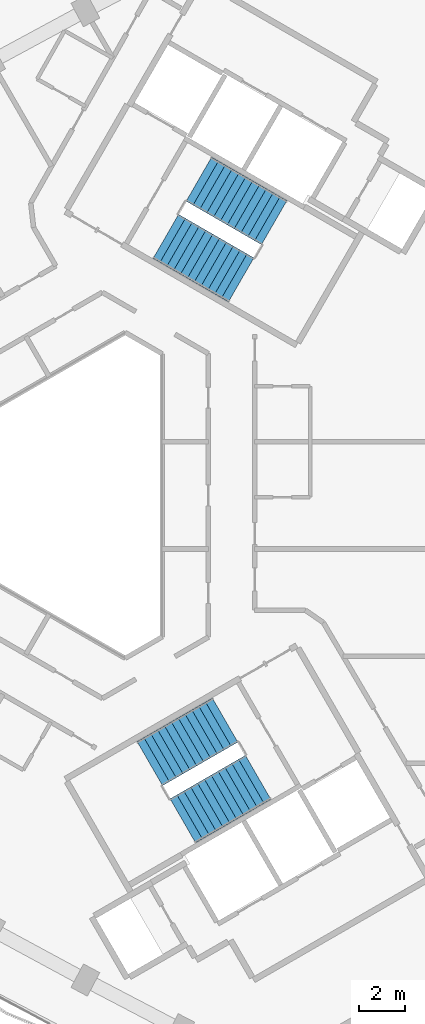
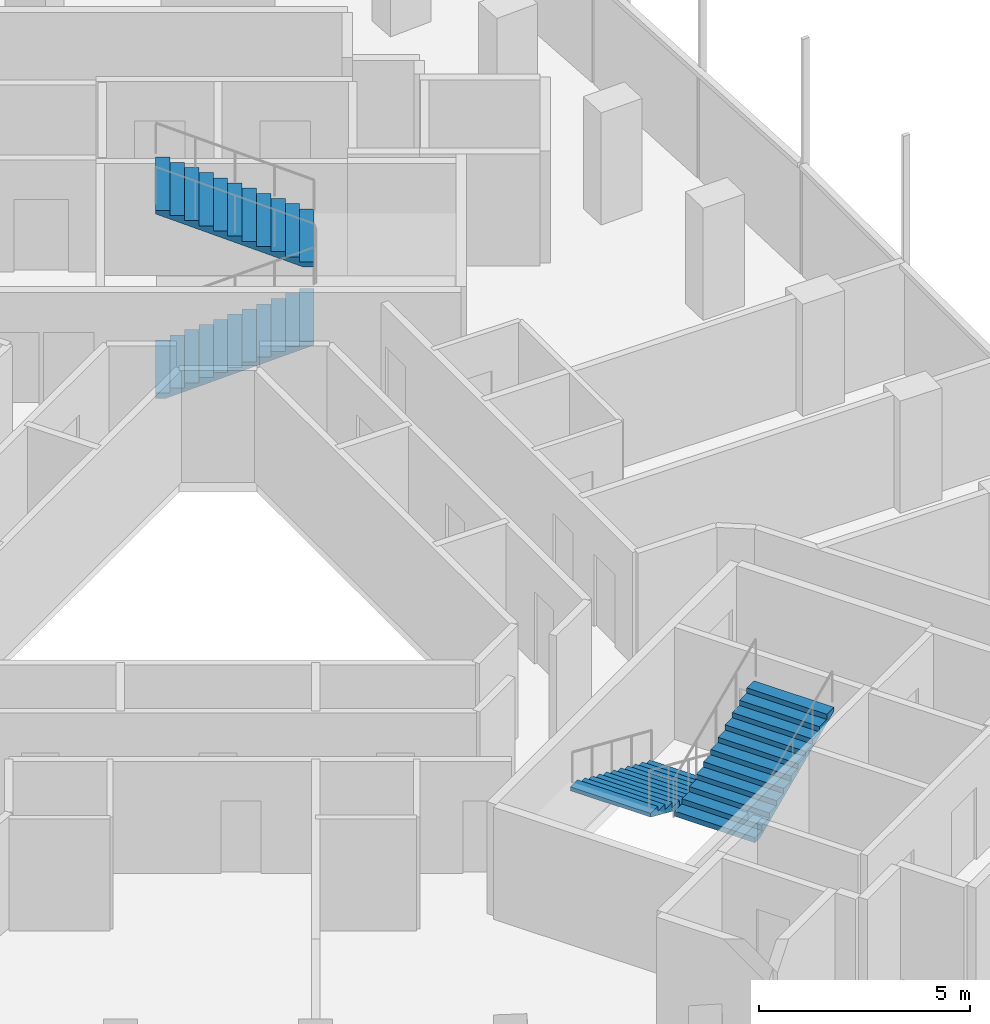
# One storey, part 11 of 14: 4 stair flights, 2 elements without a shape of their own.
"""IFC4 building model written with IfcOpenShell, lengths in metres."""

from ifc_helpers import new_model, si_unit, direction, frame, origin, place, context, subcontext, project, spatial, polyline, outline, extrude, material, type_object, element, aggregate, save


model = new_model("IFC4")

# Units and contexts
model_context = context("Model", 3, precision=1e-05, world=origin(), true_north=direction((0.0, 1.0)))
body_context = subcontext(model_context, "Body", "Model", "MODEL_VIEW")
ifc_project = project(units=[si_unit("LENGTHUNIT", "METRE"), si_unit("AREAUNIT", "SQUARE_METRE"), si_unit("VOLUMEUNIT", "CUBIC_METRE"), si_unit("PLANEANGLEUNIT", "RADIAN"), si_unit("MASSUNIT", "GRAM", prefix="KILO")], contexts=[model_context])

# Site, building, storey
site_placement = place(None, origin())
site = spatial("IfcSite", under=ifc_project, at=site_placement, CompositionType="ELEMENT")
building_placement = place(site_placement, origin())
building = spatial("IfcBuilding", under=site, at=building_placement, Name="Tamra Quay Hotel Tower", CompositionType="ELEMENT")
storey_placement = place(building_placement, frame((0.0, 0.0, 197.199951171875)))
storey = spatial("IfcBuildingStorey", under=building, at=storey_placement, Name="L49", CompositionType="ELEMENT", Elevation=197.199951171875)

# Stair, stair flights
ifc_material_1 = material(Name="Exit stair 2200 24 risers 150.0 going 342")
stair_type = type_object("IfcStairType", Name="Exit stair 2200 24 risers 150.0 going 342", PredefinedType="HALF_TURN_STAIR", material=ifc_material_1)
stair_1_placement = place(storey_placement, origin())
stair_1 = element("IfcStair", 1, at=stair_1_placement, inside=storey, type_object=stair_type, Name="L49 Exit stair ST1", PredefinedType="HALF_TURN_STAIR")
ifc_material_2 = material(Name="Exit stair flight 2200 12 risers 150.0")
stair_flight_type = type_object("IfcStairFlightType", Name="Exit stair flight 2200 12 risers 150.0", PredefinedType="STRAIGHT", material=ifc_material_2)
stair_flight_1_placement = place(storey_placement, frame((4.75927734375, 11.20361328125, 0.0), z_axis=(0.0, 0.0, 1.0), x_axis=(0.866025403784, -0.5, 0.0)))
stair_flight_1 = element("IfcStairFlight", 2, at=stair_flight_1_placement, type_object=stair_flight_type, Name="ST1 flight 1", NumberOfRisers=12, NumberOfTreads=11, PredefinedType="STRAIGHT", RiserHeight=0.15, TreadLength=0.342, context=body_context, shape_type="SweptSolid", body=[
    extrude(outline(polyline([(0.0, 0.0), (0.0, 0.14990234375), (0.342041015625, 0.14990234375), (0.342041015625, 0.300048828125), (0.68408203125, 0.300048828125), (0.68408203125, 0.449951171875), (1.02587890625, 0.449951171875), (1.02587890625, 0.60009765625), (1.367919921875, 0.60009765625), (1.367919921875, 0.75), (1.7099609375, 0.75), (1.7099609375, 0.89990234375), (2.052001953125, 0.89990234375), (2.052001953125, 1.050048828125), (2.39404296875, 1.050048828125), (2.39404296875, 1.199951171875), (2.736083984375, 1.199951171875), (2.736083984375, 1.35009765625), (3.077880859375, 1.35009765625), (3.077880859375, 1.5), (3.419921875, 1.5), (3.419921875, 1.64990234375), (3.761962890625, 1.64990234375), (3.761962890625, 1.800048828125), (3.761962890625, 1.540771484375), (0.249267578125, 0.0), (0.0, 0.0)])), frame((0.0, 1.10009765625, 0.0), z_axis=(0.0, -1.0, 0.0), x_axis=(1.0, 0.0, 0.0)), (0.0, 0.0, 1.0), 2.199951171875),
])
stair_flight_2_placement = place(storey_placement, frame((9.44677734375, 11.798583984375, 1.800048828125), z_axis=(0.0, 0.0, 1.0), x_axis=(-0.866025403784, 0.5, 0.0)))
stair_flight_2 = element("IfcStairFlight", 3, at=stair_flight_2_placement, type_object=stair_flight_type, Name="ST1 flight 2", NumberOfRisers=12, NumberOfTreads=11, PredefinedType="STRAIGHT", RiserHeight=0.15, TreadLength=0.342, context=body_context, shape_type="SweptSolid", body=[
    extrude(outline(polyline([(0.0, 0.0), (0.0, 0.14990234375), (0.342041015625, 0.14990234375), (0.342041015625, 0.300048828125), (0.68408203125, 0.300048828125), (0.68408203125, 0.449951171875), (1.02587890625, 0.449951171875), (1.02587890625, 0.60009765625), (1.367919921875, 0.60009765625), (1.367919921875, 0.75), (1.7099609375, 0.75), (1.7099609375, 0.89990234375), (2.052001953125, 0.89990234375), (2.052001953125, 1.050048828125), (2.39404296875, 1.050048828125), (2.39404296875, 1.199951171875), (2.736083984375, 1.199951171875), (2.736083984375, 1.35009765625), (3.077880859375, 1.35009765625), (3.077880859375, 1.5), (3.419921875, 1.5), (3.419921875, 1.64990234375), (3.761962890625, 1.64990234375), (3.761962890625, 1.800048828125), (3.761962890625, 1.540771484375), (0.249267578125, 0.0), (0.0, 0.0)])), frame((0.0, 1.10009765625, 0.0), z_axis=(0.0, -1.0, 0.0), x_axis=(1.0, 0.0, 0.0)), (0.0, 0.0, 1.0), 2.199951171875),
])
aggregate(stair_1, [stair_flight_1, stair_flight_2])

stair_2_placement = place(storey_placement, origin())
stair_2 = element("IfcStair", 4, at=stair_2_placement, inside=storey, type_object=stair_type, Name="L49 Exit stair ST2", PredefinedType="HALF_TURN_STAIR")
stair_flight_3_placement = place(storey_placement, frame((7.322998046875, -9.7236328125, 0.0), z_axis=(0.0, 0.0, 1.0), x_axis=(-0.866025403784, -0.5, 0.0)))
stair_flight_3 = element("IfcStairFlight", 5, at=stair_flight_3_placement, type_object=stair_flight_type, Name="ST2 flight 1", NumberOfRisers=12, NumberOfTreads=11, PredefinedType="STRAIGHT", RiserHeight=0.15, TreadLength=0.342, context=body_context, shape_type="SweptSolid", body=[
    extrude(outline(polyline([(0.0, 0.0), (0.0, 0.14990234375), (0.342041015625, 0.14990234375), (0.342041015625, 0.300048828125), (0.68408203125, 0.300048828125), (0.68408203125, 0.449951171875), (1.02587890625, 0.449951171875), (1.02587890625, 0.60009765625), (1.367919921875, 0.60009765625), (1.367919921875, 0.75), (1.7099609375, 0.75), (1.7099609375, 0.89990234375), (2.052001953125, 0.89990234375), (2.052001953125, 1.050048828125), (2.39404296875, 1.050048828125), (2.39404296875, 1.199951171875), (2.736083984375, 1.199951171875), (2.736083984375, 1.35009765625), (3.077880859375, 1.35009765625), (3.077880859375, 1.5), (3.419921875, 1.5), (3.419921875, 1.64990234375), (3.761962890625, 1.64990234375), (3.761962890625, 1.800048828125), (3.761962890625, 1.540771484375), (0.249267578125, 0.0), (0.0, 0.0)])), frame((0.0, 1.10009765625, 0.0), z_axis=(0.0, -1.0, 0.0), x_axis=(1.0, 0.0, 0.0)), (0.0, 0.0, 1.0), 2.199951171875),
])
stair_flight_4_placement = place(storey_placement, frame((5.494384765625, -14.08056640625, 1.800048828125), z_axis=(0.0, 0.0, 1.0), x_axis=(0.866025403784, 0.5, 0.0)))
stair_flight_4 = element("IfcStairFlight", 6, at=stair_flight_4_placement, type_object=stair_flight_type, Name="ST2 flight 2", NumberOfRisers=12, NumberOfTreads=11, PredefinedType="STRAIGHT", RiserHeight=0.15, TreadLength=0.342, context=body_context, shape_type="SweptSolid", body=[
    extrude(outline(polyline([(0.0, 0.0), (0.0, 0.14990234375), (0.342041015625, 0.14990234375), (0.342041015625, 0.300048828125), (0.68408203125, 0.300048828125), (0.68408203125, 0.449951171875), (1.02587890625, 0.449951171875), (1.02587890625, 0.60009765625), (1.367919921875, 0.60009765625), (1.367919921875, 0.75), (1.7099609375, 0.75), (1.7099609375, 0.89990234375), (2.052001953125, 0.89990234375), (2.052001953125, 1.050048828125), (2.39404296875, 1.050048828125), (2.39404296875, 1.199951171875), (2.736083984375, 1.199951171875), (2.736083984375, 1.35009765625), (3.077880859375, 1.35009765625), (3.077880859375, 1.5), (3.419921875, 1.5), (3.419921875, 1.64990234375), (3.761962890625, 1.64990234375), (3.761962890625, 1.800048828125), (3.761962890625, 1.540771484375), (0.249267578125, 0.0), (0.0, 0.0)])), frame((0.0, 1.10009765625, 0.0), z_axis=(0.0, -1.0, 0.0), x_axis=(1.0, 0.0, 0.0)), (0.0, 0.0, 1.0), 2.199951171875),
])
aggregate(stair_2, [stair_flight_3, stair_flight_4])

save(model, "model.ifc")
